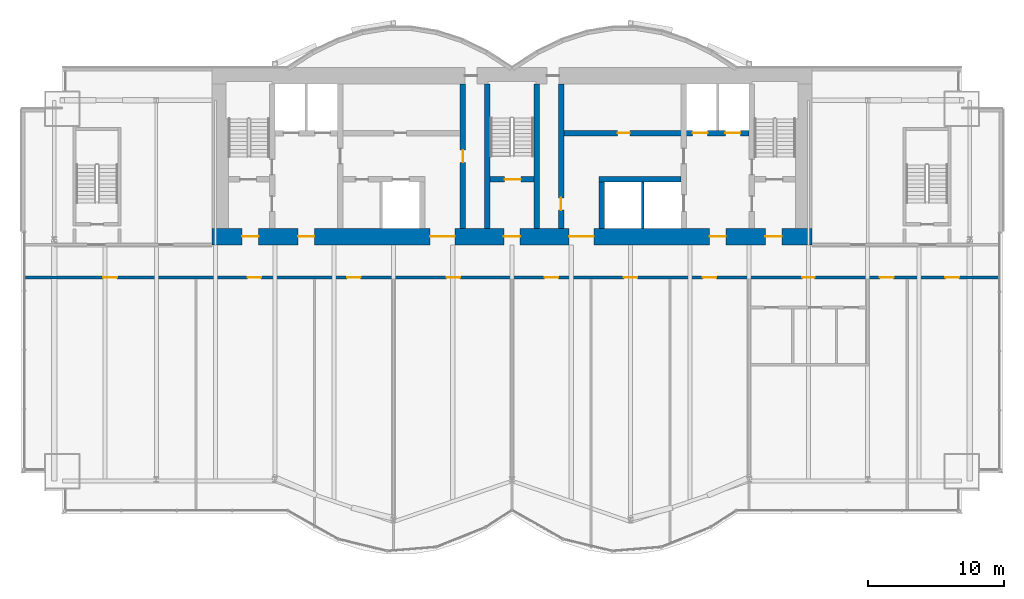
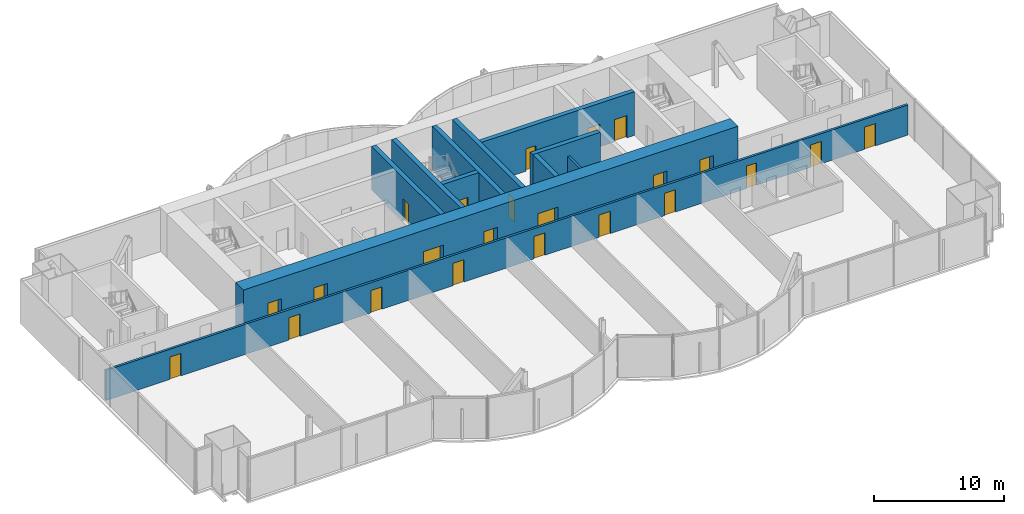
# One storey, part 15 of 20: 23 doors, 11 walls, 23 openings.
"""IFC4 building model written with IfcOpenShell, lengths in metres."""

from ifc_helpers import new_model, si_unit, direction, frame, frame_2d, origin, place, context, subcontext, project, spatial, rectangle, extrude, material, layer, layer_set, type_object, element, fill, save


model = new_model("IFC4")

# Units and contexts
model_context = context("Model", 3, precision=1e-05, world=origin(), true_north=direction((0.0, 1.0)))
body_context = subcontext(model_context, "Body", "Model", "MODEL_VIEW")
ifc_project = project(units=[si_unit("LENGTHUNIT", "METRE"), si_unit("AREAUNIT", "SQUARE_METRE"), si_unit("VOLUMEUNIT", "CUBIC_METRE"), si_unit("PLANEANGLEUNIT", "RADIAN"), si_unit("MASSUNIT", "GRAM", prefix="KILO")], contexts=[model_context])

# Site, building, storey
site_placement = place(None, origin())
site = spatial("IfcSite", under=ifc_project, at=site_placement, CompositionType="ELEMENT")
building_placement = place(site_placement, origin())
building = spatial("IfcBuilding", under=site, at=building_placement, Name="Bicima Exchange Tower", CompositionType="ELEMENT")
storey_placement = place(building_placement, frame((0.0, 0.0, 199.10009765625)))
storey = spatial("IfcBuildingStorey", under=building, at=storey_placement, Name="L44", CompositionType="ELEMENT", Elevation=199.10009765625)

# Wall
ifc_material_1 = material(Name="Gypsum board partition")
ifc_layer_1 = layer(ifc_material_1, 0.199951171875)
ifc_layer_set_1 = layer_set([ifc_layer_1], Name="Gypsum board partition")
wall_type_1 = type_object("IfcWallType", Name="Fire-rated gypsum partition 200 EI120", PredefinedType="PARTITIONING", material=ifc_layer_set_1)
wall_1_placement = place(storey_placement, frame((9.60009765625, -11.800048828125, 0.0), z_axis=(0.0, 0.0, 1.0), x_axis=(0.0, 1.0, 0.0)))
element("IfcWall", 1, at=wall_1_placement, inside=storey, type_object=wall_type_1, Name="partition wall 18", PredefinedType="PARTITIONING", context=body_context, shape_type="SweptSolid", body=[
    extrude(rectangle(XDim=3.400146484375, YDim=0.199951171875, at=frame_2d((1.7001953125, 0.0))), origin(), (0.0, 0.0, 1.0), 2.840087890625),
])

# Wall, openings, doors
ifc_layer_2 = layer(ifc_material_1, 0.199951171875)
ifc_layer_set_2 = layer_set([ifc_layer_2], Name="Gypsum board partition")
wall_type_2 = type_object("IfcWallType", Name="Fire-rated gypsum partition 200 EI60", PredefinedType="PARTITIONING", material=ifc_layer_set_2)
wall_2_placement = place(storey_placement, frame((-35.679931640625, -15.39990234375, 0.0), z_axis=(0.0, 0.0, 1.0), x_axis=(1.0, 0.0, 0.0)))
wall_2 = element("IfcWall", 2, at=wall_2_placement, inside=storey, type_object=wall_type_2, Name="partition wall 3", PredefinedType="PARTITIONING", context=body_context, shape_type="SweptSolid", body=[
    extrude(rectangle(XDim=71.35986328125, YDim=0.199951171875, at=frame_2d((35.679931640625, 0.0))), origin(), (0.0, 0.0, 1.0), 2.840087890625),
])
opening_1_placement = place(wall_2_placement, frame((5.699951171875, 0.0, 0.0)))
opening_1 = element("IfcOpeningElement", 3, at=opening_1_placement, cuts=wall_2, Name="Opening L44-007", PredefinedType="OPENING", context=body_context, shape_type="SweptSolid", body=[
    extrude(rectangle(XDim=1.0, YDim=2.10009765625, at=frame_2d((0.5, 1.050048828125))), frame((0.0, 0.11181640625, 0.0), z_axis=(0.0, -1.0, 0.0), x_axis=(1.0, 0.0, 0.0)), (0.0, 0.0, 1.0), 0.223876953125),
])
opening_2_placement = place(wall_2_placement, frame((16.280029296875, 0.0, 0.0)))
opening_2 = element("IfcOpeningElement", 4, at=opening_2_placement, cuts=wall_2, Name="Opening L44-008", PredefinedType="OPENING", context=body_context, shape_type="SweptSolid", body=[
    extrude(rectangle(XDim=1.0, YDim=2.10009765625, at=frame_2d((0.5, 1.050048828125))), frame((0.0, 0.11181640625, 0.0), z_axis=(0.0, -1.0, 0.0), x_axis=(1.0, 0.0, 0.0)), (0.0, 0.0, 1.0), 0.223876953125),
])
opening_3_placement = place(wall_2_placement, frame((23.580078125, 0.0, 0.0)))
opening_3 = element("IfcOpeningElement", 5, at=opening_3_placement, cuts=wall_2, Name="Opening L44-009", PredefinedType="OPENING", context=body_context, shape_type="SweptSolid", body=[
    extrude(rectangle(XDim=1.0, YDim=2.10009765625, at=frame_2d((0.5, 1.050048828125))), frame((0.0, 0.11181640625, 0.0), z_axis=(0.0, -1.0, 0.0), x_axis=(1.0, 0.0, 0.0)), (0.0, 0.0, 1.0), 0.223876953125),
])
opening_4_placement = place(wall_2_placement, frame((30.8798828125, 0.0, 0.0)))
opening_4 = element("IfcOpeningElement", 6, at=opening_4_placement, cuts=wall_2, Name="Opening L44-010", PredefinedType="OPENING", context=body_context, shape_type="SweptSolid", body=[
    extrude(rectangle(XDim=1.0, YDim=2.10009765625, at=frame_2d((0.5, 1.050048828125))), frame((0.0, 0.11181640625, 0.0), z_axis=(0.0, -1.0, 0.0), x_axis=(1.0, 0.0, 0.0)), (0.0, 0.0, 1.0), 0.223876953125),
])
opening_5_placement = place(wall_2_placement, frame((38.080078125, 0.0, 0.0)))
opening_5 = element("IfcOpeningElement", 7, at=opening_5_placement, cuts=wall_2, Name="Opening L44-011", PredefinedType="OPENING", context=body_context, shape_type="SweptSolid", body=[
    extrude(rectangle(XDim=1.0, YDim=2.10009765625, at=frame_2d((0.5, 1.050048828125))), frame((0.0, 0.11181640625, 0.0), z_axis=(0.0, -1.0, 0.0), x_axis=(1.0, 0.0, 0.0)), (0.0, 0.0, 1.0), 0.223876953125),
])
opening_6_placement = place(wall_2_placement, frame((43.8798828125, 0.0, 0.0)))
opening_6 = element("IfcOpeningElement", 8, at=opening_6_placement, cuts=wall_2, Name="Opening L44-012", PredefinedType="OPENING", context=body_context, shape_type="SweptSolid", body=[
    extrude(rectangle(XDim=1.0, YDim=2.10009765625, at=frame_2d((0.5, 1.050048828125))), frame((0.0, 0.11181640625, 0.0), z_axis=(0.0, -1.0, 0.0), x_axis=(1.0, 0.0, 0.0)), (0.0, 0.0, 1.0), 0.223876953125),
])
opening_7_placement = place(wall_2_placement, frame((49.679931640625, 0.0, 0.0)))
opening_7 = element("IfcOpeningElement", 9, at=opening_7_placement, cuts=wall_2, Name="Opening L44-013", PredefinedType="OPENING", context=body_context, shape_type="SweptSolid", body=[
    extrude(rectangle(XDim=1.0, YDim=2.10009765625, at=frame_2d((0.5, 1.050048828125))), frame((0.0, 0.11181640625, 0.0), z_axis=(0.0, -1.0, 0.0), x_axis=(1.0, 0.0, 0.0)), (0.0, 0.0, 1.0), 0.223876953125),
])
opening_8_placement = place(wall_2_placement, frame((56.97998046875, 0.0, 0.0)))
opening_8 = element("IfcOpeningElement", 10, at=opening_8_placement, cuts=wall_2, Name="Opening L44-014", PredefinedType="OPENING", context=body_context, shape_type="SweptSolid", body=[
    extrude(rectangle(XDim=0.89990234375, YDim=2.10009765625, at=frame_2d((0.449951171875, 1.050048828125))), frame((0.0, 0.11181640625, 0.0), z_axis=(0.0, -1.0, 0.0), x_axis=(1.0, 0.0, 0.0)), (0.0, 0.0, 1.0), 0.223876953125),
])
opening_9_placement = place(wall_2_placement, frame((62.679931640625, 0.0, 0.0)))
opening_9 = element("IfcOpeningElement", 11, at=opening_9_placement, cuts=wall_2, Name="Opening L44-018", PredefinedType="OPENING", context=body_context, shape_type="SweptSolid", body=[
    extrude(rectangle(XDim=1.0, YDim=2.10009765625, at=frame_2d((0.5, 1.050048828125))), frame((0.0, 0.11181640625, 0.0), z_axis=(0.0, -1.0, 0.0), x_axis=(1.0, 0.0, 0.0)), (0.0, 0.0, 1.0), 0.223876953125),
])
opening_10_placement = place(wall_2_placement, frame((67.47998046875, 0.0, 0.0)))
opening_10 = element("IfcOpeningElement", 12, at=opening_10_placement, cuts=wall_2, Name="Opening L44-019", PredefinedType="OPENING", context=body_context, shape_type="SweptSolid", body=[
    extrude(rectangle(XDim=1.0, YDim=2.10009765625, at=frame_2d((0.5, 1.050048828125))), frame((0.0, 0.11181640625, 0.0), z_axis=(0.0, -1.0, 0.0), x_axis=(1.0, 0.0, 0.0)), (0.0, 0.0, 1.0), 0.223876953125),
])
ifc_material_2 = material(Name="Steel fire door leaf", Category="steel")
door_type_1 = type_object("IfcDoorType", Name="Door 1000 swing FD30S", OperationType="SINGLE_SWING_LEFT", PredefinedType="DOOR", material=ifc_material_2)
door_1_placement = place(opening_1_placement, frame((1.0, 0.0, 0.0), z_axis=(0.0, 0.0, 1.0), x_axis=(-1.0, 0.0, 0.0)))
door_1 = element("IfcDoor", 13, at=door_1_placement, inside=storey, type_object=door_type_1, Name="Door", OperationType="SINGLE_SWING_LEFT", OverallHeight=2.10009765625, OverallWidth=1.0, PredefinedType="DOOR", context=body_context, shape_type="SweptSolid", body=[
    extrude(rectangle(XDim=1.0, YDim=2.10009765625, at=frame_2d((0.5, 1.050048828125))), frame((0.0, 0.02490234375, 0.0), z_axis=(0.0, -1.0, 0.0), x_axis=(1.0, 0.0, 0.0)), (0.0, 0.0, 1.0), 0.050048828125),
])
fill(opening_1, door_1)
door_2_placement = place(opening_2_placement, frame((1.0, 0.0, 0.0), z_axis=(0.0, 0.0, 1.0), x_axis=(-1.0, 0.0, 0.0)))
door_2 = element("IfcDoor", 14, at=door_2_placement, inside=storey, type_object=door_type_1, Name="Door", OperationType="SINGLE_SWING_RIGHT", OverallHeight=2.10009765625, OverallWidth=1.0, PredefinedType="DOOR", context=body_context, shape_type="SweptSolid", body=[
    extrude(rectangle(XDim=1.0, YDim=2.10009765625, at=frame_2d((0.5, 1.050048828125))), frame((0.0, 0.02490234375, 0.0), z_axis=(0.0, -1.0, 0.0), x_axis=(1.0, 0.0, 0.0)), (0.0, 0.0, 1.0), 0.050048828125),
])
fill(opening_2, door_2)
door_3_placement = place(opening_3_placement, frame((1.0, 0.0, 0.0), z_axis=(0.0, 0.0, 1.0), x_axis=(-1.0, 0.0, 0.0)))
door_3 = element("IfcDoor", 15, at=door_3_placement, inside=storey, type_object=door_type_1, Name="Door", OperationType="SINGLE_SWING_RIGHT", OverallHeight=2.10009765625, OverallWidth=1.0, PredefinedType="DOOR", context=body_context, shape_type="SweptSolid", body=[
    extrude(rectangle(XDim=1.0, YDim=2.10009765625, at=frame_2d((0.5, 1.050048828125))), frame((0.0, 0.02490234375, 0.0), z_axis=(0.0, -1.0, 0.0), x_axis=(1.0, 0.0, 0.0)), (0.0, 0.0, 1.0), 0.050048828125),
])
fill(opening_3, door_3)
door_4_placement = place(opening_4_placement, frame((1.0, 0.0, 0.0), z_axis=(0.0, 0.0, 1.0), x_axis=(-1.0, 0.0, 0.0)))
door_4 = element("IfcDoor", 16, at=door_4_placement, inside=storey, type_object=door_type_1, Name="Door", OperationType="SINGLE_SWING_LEFT", OverallHeight=2.10009765625, OverallWidth=1.0, PredefinedType="DOOR", context=body_context, shape_type="SweptSolid", body=[
    extrude(rectangle(XDim=1.0, YDim=2.10009765625, at=frame_2d((0.5, 1.050048828125))), frame((0.0, 0.02490234375, 0.0), z_axis=(0.0, -1.0, 0.0), x_axis=(1.0, 0.0, 0.0)), (0.0, 0.0, 1.0), 0.050048828125),
])
fill(opening_4, door_4)
door_5_placement = place(opening_5_placement, frame((1.0, 0.0, 0.0), z_axis=(0.0, 0.0, 1.0), x_axis=(-1.0, 0.0, 0.0)))
door_5 = element("IfcDoor", 17, at=door_5_placement, inside=storey, type_object=door_type_1, Name="Door", OperationType="SINGLE_SWING_RIGHT", OverallHeight=2.10009765625, OverallWidth=1.0, PredefinedType="DOOR", context=body_context, shape_type="SweptSolid", body=[
    extrude(rectangle(XDim=1.0, YDim=2.10009765625, at=frame_2d((0.5, 1.050048828125))), frame((0.0, 0.02490234375, 0.0), z_axis=(0.0, -1.0, 0.0), x_axis=(1.0, 0.0, 0.0)), (0.0, 0.0, 1.0), 0.050048828125),
])
fill(opening_5, door_5)
door_6_placement = place(opening_6_placement, frame((1.0, 0.0, 0.0), z_axis=(0.0, 0.0, 1.0), x_axis=(-1.0, 0.0, 0.0)))
door_6 = element("IfcDoor", 18, at=door_6_placement, inside=storey, type_object=door_type_1, Name="Door", OperationType="SINGLE_SWING_RIGHT", OverallHeight=2.10009765625, OverallWidth=1.0, PredefinedType="DOOR", context=body_context, shape_type="SweptSolid", body=[
    extrude(rectangle(XDim=1.0, YDim=2.10009765625, at=frame_2d((0.5, 1.050048828125))), frame((0.0, 0.02490234375, 0.0), z_axis=(0.0, -1.0, 0.0), x_axis=(1.0, 0.0, 0.0)), (0.0, 0.0, 1.0), 0.050048828125),
])
fill(opening_6, door_6)
door_7_placement = place(opening_7_placement, frame((1.0, 0.0, 0.0), z_axis=(0.0, 0.0, 1.0), x_axis=(-1.0, 0.0, 0.0)))
door_7 = element("IfcDoor", 19, at=door_7_placement, inside=storey, type_object=door_type_1, Name="Door", OperationType="SINGLE_SWING_LEFT", OverallHeight=2.10009765625, OverallWidth=1.0, PredefinedType="DOOR", context=body_context, shape_type="SweptSolid", body=[
    extrude(rectangle(XDim=1.0, YDim=2.10009765625, at=frame_2d((0.5, 1.050048828125))), frame((0.0, 0.02490234375, 0.0), z_axis=(0.0, -1.0, 0.0), x_axis=(1.0, 0.0, 0.0)), (0.0, 0.0, 1.0), 0.050048828125),
])
fill(opening_7, door_7)
door_8_placement = place(opening_9_placement, frame((1.0, 0.0, 0.0), z_axis=(0.0, 0.0, 1.0), x_axis=(-1.0, 0.0, 0.0)))
door_8 = element("IfcDoor", 20, at=door_8_placement, inside=storey, type_object=door_type_1, Name="Door", OperationType="SINGLE_SWING_RIGHT", OverallHeight=2.10009765625, OverallWidth=1.0, PredefinedType="DOOR", context=body_context, shape_type="SweptSolid", body=[
    extrude(rectangle(XDim=1.0, YDim=2.10009765625, at=frame_2d((0.5, 1.050048828125))), frame((0.0, 0.02490234375, 0.0), z_axis=(0.0, -1.0, 0.0), x_axis=(1.0, 0.0, 0.0)), (0.0, 0.0, 1.0), 0.050048828125),
])
fill(opening_9, door_8)
door_9_placement = place(opening_10_placement, frame((1.0, 0.0, 0.0), z_axis=(0.0, 0.0, 1.0), x_axis=(-1.0, 0.0, 0.0)))
door_9 = element("IfcDoor", 21, at=door_9_placement, inside=storey, type_object=door_type_1, Name="Door", OperationType="SINGLE_SWING_LEFT", OverallHeight=2.10009765625, OverallWidth=1.0, PredefinedType="DOOR", context=body_context, shape_type="SweptSolid", body=[
    extrude(rectangle(XDim=1.0, YDim=2.10009765625, at=frame_2d((0.5, 1.050048828125))), frame((0.0, 0.02490234375, 0.0), z_axis=(0.0, -1.0, 0.0), x_axis=(1.0, 0.0, 0.0)), (0.0, 0.0, 1.0), 0.050048828125),
])
fill(opening_10, door_9)
door_type_2 = type_object("IfcDoorType", Name="Door 900 swing FD30S", OperationType="SINGLE_SWING_LEFT", PredefinedType="DOOR", material=ifc_material_2)
door_10_placement = place(opening_8_placement, frame((0.89990234375, 0.0, 0.0), z_axis=(0.0, 0.0, 1.0), x_axis=(-1.0, 0.0, 0.0)))
door_10 = element("IfcDoor", 22, at=door_10_placement, inside=storey, type_object=door_type_2, Name="Door", OperationType="SINGLE_SWING_RIGHT", OverallHeight=2.10009765625, OverallWidth=0.89990234375, PredefinedType="DOOR", context=body_context, shape_type="SweptSolid", body=[
    extrude(rectangle(XDim=0.89990234375, YDim=2.10009765625, at=frame_2d((0.449951171875, 1.050048828125))), frame((0.0, 0.02490234375, 0.0), z_axis=(0.0, -1.0, 0.0), x_axis=(1.0, 0.0, 0.0)), (0.0, 0.0, 1.0), 0.050048828125),
])
fill(opening_8, door_10)

ifc_material_3 = material(Name="Concrete C50/60", Category="concrete")
ifc_layer_3 = layer(ifc_material_3, 1.199951171875)
ifc_layer_set_3 = layer_set([ifc_layer_3], Name="Concrete C50/60")
wall_type_3 = type_object("IfcWallType", Name="RC core wall 1200 C50/60", PredefinedType="SHEAR", material=ifc_layer_set_3)
wall_3_placement = place(storey_placement, frame((-22.0, -12.39990234375, 0.0), z_axis=(0.0, 0.0, 1.0), x_axis=(1.0, 0.0, 0.0)))
wall_3 = element("IfcWall", 23, at=wall_3_placement, inside=storey, type_object=wall_type_3, Name="Core wall south", PredefinedType="SHEAR", context=body_context, shape_type="SweptSolid", body=[
    extrude(rectangle(XDim=44.0, YDim=1.199951171875, at=frame_2d((22.0, 0.0))), origin(), (0.0, 0.0, 1.0), 4.099853515625),
])
opening_11_placement = place(wall_3_placement, frame((2.199951171875, 0.0, 0.0)))
opening_11 = element("IfcOpeningElement", 24, at=opening_11_placement, cuts=wall_3, Name="Opening L44-C17", PredefinedType="OPENING", context=body_context, shape_type="SweptSolid", body=[
    extrude(rectangle(XDim=1.199951171875, YDim=2.10009765625, at=frame_2d((0.60009765625, 1.050048828125))), frame((0.0, 0.61181640625, 0.0), z_axis=(0.0, -1.0, 0.0), x_axis=(1.0, 0.0, 0.0)), (0.0, 0.0, 1.0), 1.223876953125),
])
opening_12_placement = place(wall_3_placement, frame((21.39990234375, 0.0, 0.0)))
opening_12 = element("IfcOpeningElement", 25, at=opening_12_placement, cuts=wall_3, Name="Opening L44-C18", PredefinedType="OPENING", context=body_context, shape_type="SweptSolid", body=[
    extrude(rectangle(XDim=1.199951171875, YDim=2.10009765625, at=frame_2d((0.60009765625, 1.050048828125))), frame((0.0, 0.61181640625, 0.0), z_axis=(0.0, -1.0, 0.0), x_axis=(1.0, 0.0, 0.0)), (0.0, 0.0, 1.0), 1.223876953125),
])
opening_13_placement = place(wall_3_placement, frame((40.60009765625, 0.0, 0.0)))
opening_13 = element("IfcOpeningElement", 26, at=opening_13_placement, cuts=wall_3, Name="Opening L44-C19", PredefinedType="OPENING", context=body_context, shape_type="SweptSolid", body=[
    extrude(rectangle(XDim=1.199951171875, YDim=2.10009765625, at=frame_2d((0.60009765625, 1.050048828125))), frame((0.0, 0.61181640625, 0.0), z_axis=(0.0, -1.0, 0.0), x_axis=(1.0, 0.0, 0.0)), (0.0, 0.0, 1.0), 1.223876953125),
])
opening_14_placement = place(wall_3_placement, frame((16.0, 0.0, 0.0)))
opening_14 = element("IfcOpeningElement", 27, at=opening_14_placement, cuts=wall_3, Name="Opening L44-C20", PredefinedType="OPENING", context=body_context, shape_type="SweptSolid", body=[
    extrude(rectangle(XDim=1.800048828125, YDim=2.10009765625, at=frame_2d((0.89990234375, 1.050048828125))), frame((0.0, 0.61181640625, 0.0), z_axis=(0.0, -1.0, 0.0), x_axis=(1.0, 0.0, 0.0)), (0.0, 0.0, 1.0), 1.223876953125),
])
opening_15_placement = place(wall_3_placement, frame((6.300048828125, 0.0, 0.0)))
opening_15 = element("IfcOpeningElement", 28, at=opening_15_placement, cuts=wall_3, Name="Opening L44-C21", PredefinedType="OPENING", context=body_context, shape_type="SweptSolid", body=[
    extrude(rectangle(XDim=1.199951171875, YDim=2.10009765625, at=frame_2d((0.60009765625, 1.050048828125))), frame((0.0, 0.61181640625, 0.0), z_axis=(0.0, -1.0, 0.0), x_axis=(1.0, 0.0, 0.0)), (0.0, 0.0, 1.0), 1.223876953125),
])
opening_16_placement = place(wall_3_placement, frame((26.199951171875, 0.0, 0.0)))
opening_16 = element("IfcOpeningElement", 29, at=opening_16_placement, cuts=wall_3, Name="Opening L44-C22", PredefinedType="OPENING", context=body_context, shape_type="SweptSolid", body=[
    extrude(rectangle(XDim=1.800048828125, YDim=2.10009765625, at=frame_2d((0.89990234375, 1.050048828125))), frame((0.0, 0.61181640625, 0.0), z_axis=(0.0, -1.0, 0.0), x_axis=(1.0, 0.0, 0.0)), (0.0, 0.0, 1.0), 1.223876953125),
])
opening_17_placement = place(wall_3_placement, frame((36.5, 0.0, 0.0)))
opening_17 = element("IfcOpeningElement", 30, at=opening_17_placement, cuts=wall_3, Name="Opening L44-C23", PredefinedType="OPENING", context=body_context, shape_type="SweptSolid", body=[
    extrude(rectangle(XDim=1.199951171875, YDim=2.10009765625, at=frame_2d((0.60009765625, 1.050048828125))), frame((0.0, 0.61181640625, 0.0), z_axis=(0.0, -1.0, 0.0), x_axis=(1.0, 0.0, 0.0)), (0.0, 0.0, 1.0), 1.223876953125),
])
door_type_3 = type_object("IfcDoorType", Name="Door 1200 swing FD60S", OperationType="SINGLE_SWING_LEFT", PredefinedType="DOOR", material=ifc_material_2)
door_11_placement = place(opening_11_placement, frame((1.199951171875, 0.0, 0.0), z_axis=(0.0, 0.0, 1.0), x_axis=(-1.0, 0.0, 0.0)))
door_11 = element("IfcDoor", 31, at=door_11_placement, inside=storey, type_object=door_type_3, Name="Core door", OperationType="SINGLE_SWING_RIGHT", OverallHeight=2.10009765625, OverallWidth=1.199951171875, PredefinedType="DOOR", context=body_context, shape_type="SweptSolid", body=[
    extrude(rectangle(XDim=1.199951171875, YDim=2.10009765625, at=frame_2d((0.60009765625, 1.050048828125))), frame((0.0, 0.02490234375, 0.0), z_axis=(0.0, -1.0, 0.0), x_axis=(1.0, 0.0, 0.0)), (0.0, 0.0, 1.0), 0.050048828125),
])
fill(opening_11, door_11)
door_12_placement = place(opening_12_placement, frame((1.199951171875, 0.0, 0.0), z_axis=(0.0, 0.0, 1.0), x_axis=(-1.0, 0.0, 0.0)))
door_12 = element("IfcDoor", 32, at=door_12_placement, inside=storey, type_object=door_type_3, Name="Core door", OperationType="SINGLE_SWING_RIGHT", OverallHeight=2.10009765625, OverallWidth=1.199951171875, PredefinedType="DOOR", context=body_context, shape_type="SweptSolid", body=[
    extrude(rectangle(XDim=1.199951171875, YDim=2.10009765625, at=frame_2d((0.60009765625, 1.050048828125))), frame((0.0, 0.02490234375, 0.0), z_axis=(0.0, -1.0, 0.0), x_axis=(1.0, 0.0, 0.0)), (0.0, 0.0, 1.0), 0.050048828125),
])
fill(opening_12, door_12)
door_13_placement = place(opening_13_placement, frame((1.199951171875, 0.0, 0.0), z_axis=(0.0, 0.0, 1.0), x_axis=(-1.0, 0.0, 0.0)))
door_13 = element("IfcDoor", 33, at=door_13_placement, inside=storey, type_object=door_type_3, Name="Core door", OperationType="SINGLE_SWING_RIGHT", OverallHeight=2.10009765625, OverallWidth=1.199951171875, PredefinedType="DOOR", context=body_context, shape_type="SweptSolid", body=[
    extrude(rectangle(XDim=1.199951171875, YDim=2.10009765625, at=frame_2d((0.60009765625, 1.050048828125))), frame((0.0, 0.02490234375, 0.0), z_axis=(0.0, -1.0, 0.0), x_axis=(1.0, 0.0, 0.0)), (0.0, 0.0, 1.0), 0.050048828125),
])
fill(opening_13, door_13)
door_14_placement = place(opening_15_placement, frame((1.199951171875, 0.0, 0.0), z_axis=(0.0, 0.0, 1.0), x_axis=(-1.0, 0.0, 0.0)))
door_14 = element("IfcDoor", 34, at=door_14_placement, inside=storey, type_object=door_type_3, Name="Core door", OperationType="SINGLE_SWING_RIGHT", OverallHeight=2.10009765625, OverallWidth=1.199951171875, PredefinedType="DOOR", context=body_context, shape_type="SweptSolid", body=[
    extrude(rectangle(XDim=1.199951171875, YDim=2.10009765625, at=frame_2d((0.60009765625, 1.050048828125))), frame((0.0, 0.02490234375, 0.0), z_axis=(0.0, -1.0, 0.0), x_axis=(1.0, 0.0, 0.0)), (0.0, 0.0, 1.0), 0.050048828125),
])
fill(opening_15, door_14)
door_15_placement = place(opening_17_placement, frame((1.199951171875, 0.0, 0.0), z_axis=(0.0, 0.0, 1.0), x_axis=(-1.0, 0.0, 0.0)))
door_15 = element("IfcDoor", 35, at=door_15_placement, inside=storey, type_object=door_type_3, Name="Core door", OperationType="SINGLE_SWING_RIGHT", OverallHeight=2.10009765625, OverallWidth=1.199951171875, PredefinedType="DOOR", context=body_context, shape_type="SweptSolid", body=[
    extrude(rectangle(XDim=1.199951171875, YDim=2.10009765625, at=frame_2d((0.60009765625, 1.050048828125))), frame((0.0, 0.02490234375, 0.0), z_axis=(0.0, -1.0, 0.0), x_axis=(1.0, 0.0, 0.0)), (0.0, 0.0, 1.0), 0.050048828125),
])
fill(opening_17, door_15)
door_type_4 = type_object("IfcDoorType", Name="Door 1800 double swing FD30S", OperationType="DOUBLE_DOOR_SINGLE_SWING", PredefinedType="DOOR", material=ifc_material_2)
door_16_placement = place(opening_14_placement, origin())
door_16 = element("IfcDoor", 36, at=door_16_placement, inside=storey, type_object=door_type_4, Name="Core door", OperationType="SINGLE_SWING_LEFT", OverallHeight=2.10009765625, OverallWidth=1.800048828125, PredefinedType="DOOR", context=body_context, shape_type="SweptSolid", body=[
    extrude(rectangle(XDim=1.800048828125, YDim=2.10009765625, at=frame_2d((0.89990234375, 1.050048828125))), frame((0.0, 0.02490234375, 0.0), z_axis=(0.0, -1.0, 0.0), x_axis=(1.0, 0.0, 0.0)), (0.0, 0.0, 1.0), 0.050048828125),
])
fill(opening_14, door_16)
door_17_placement = place(opening_16_placement, origin())
door_17 = element("IfcDoor", 37, at=door_17_placement, inside=storey, type_object=door_type_4, Name="Core door", OperationType="SINGLE_SWING_LEFT", OverallHeight=2.10009765625, OverallWidth=1.800048828125, PredefinedType="DOOR", context=body_context, shape_type="SweptSolid", body=[
    extrude(rectangle(XDim=1.800048828125, YDim=2.10009765625, at=frame_2d((0.89990234375, 1.050048828125))), frame((0.0, 0.02490234375, 0.0), z_axis=(0.0, -1.0, 0.0), x_axis=(1.0, 0.0, 0.0)), (0.0, 0.0, 1.0), 0.050048828125),
])
fill(opening_16, door_17)

# Wall, opening, door
ifc_layer_4 = layer(ifc_material_3, 0.39990234375)
ifc_layer_set_4 = layer_set([ifc_layer_4], Name="Concrete C50/60")
wall_type_4 = type_object("IfcWallType", Name="RC core wall 400 C50/60", PredefinedType="SHEAR", material=ifc_layer_set_4)
wall_4_placement = place(storey_placement, frame((-1.60009765625, -8.199951171875, 0.0), z_axis=(0.0, 0.0, 1.0), x_axis=(1.0, 0.0, 0.0)))
wall_4 = element("IfcWall", 38, at=wall_4_placement, inside=storey, type_object=wall_type_4, Name="stair wall 3", PredefinedType="SHEAR", context=body_context, shape_type="SweptSolid", body=[
    extrude(rectangle(XDim=3.2001953125, YDim=0.39990234375, at=frame_2d((1.60009765625, 0.0))), origin(), (0.0, 0.0, 1.0), 4.099853515625),
])
opening_18_placement = place(wall_4_placement, frame((1.050048828125, 0.0, 0.0)))
opening_18 = element("IfcOpeningElement", 39, at=opening_18_placement, cuts=wall_4, Name="Opening L44-C03", PredefinedType="OPENING", context=body_context, shape_type="SweptSolid", body=[
    extrude(rectangle(XDim=1.199951171875, YDim=2.10009765625, at=frame_2d((0.60009765625, 1.050048828125))), frame((0.0, 0.2119140625, 0.0), z_axis=(0.0, -1.0, 0.0), x_axis=(1.0, 0.0, 0.0)), (0.0, 0.0, 1.0), 0.423828125),
])
door_18_placement = place(opening_18_placement, origin())
door_18 = element("IfcDoor", 40, at=door_18_placement, inside=storey, type_object=door_type_3, Name="Core door", OperationType="SINGLE_SWING_LEFT", OverallHeight=2.10009765625, OverallWidth=1.199951171875, PredefinedType="DOOR", context=body_context, shape_type="SweptSolid", body=[
    extrude(rectangle(XDim=1.199951171875, YDim=2.10009765625, at=frame_2d((0.60009765625, 1.050048828125))), frame((0.0, 0.02490234375, 0.0), z_axis=(0.0, -1.0, 0.0), x_axis=(1.0, 0.0, 0.0)), (0.0, 0.0, 1.0), 0.050048828125),
])
fill(opening_18, door_18)

# Wall
wall_5_placement = place(storey_placement, frame((6.39990234375, -8.199951171875, 0.0), z_axis=(0.0, 0.0, 1.0), x_axis=(1.0, 0.0, 0.0)))
element("IfcWall", 41, at=wall_5_placement, inside=storey, type_object=wall_type_4, Name="shear wall 4", PredefinedType="SHEAR", context=body_context, shape_type="SweptSolid", body=[
    extrude(rectangle(XDim=6.0, YDim=0.39990234375, at=frame_2d((3.0, 0.0))), origin(), (0.0, 0.0, 1.0), 4.099853515625),
])

# Wall, openings, doors
wall_6_placement = place(storey_placement, frame((3.800048828125, -4.800048828125, 0.0), z_axis=(0.0, 0.0, 1.0), x_axis=(1.0, 0.0, 0.0)))
wall_6 = element("IfcWall", 42, at=wall_6_placement, inside=storey, type_object=wall_type_4, Name="shear wall 7", PredefinedType="SHEAR", context=body_context, shape_type="SweptSolid", body=[
    extrude(rectangle(XDim=13.599853515625, YDim=0.39990234375, at=frame_2d((6.7998046875, 0.0))), origin(), (0.0, 0.0, 1.0), 4.099853515625),
])
opening_19_placement = place(wall_6_placement, frame((9.449951171875, 0.0, 0.0)))
opening_19 = element("IfcOpeningElement", 43, at=opening_19_placement, cuts=wall_6, Name="Opening LD-FF2-L44", PredefinedType="OPENING", context=body_context, shape_type="SweptSolid", body=[
    extrude(rectangle(XDim=1.10009765625, YDim=2.10009765625, at=frame_2d((0.550048828125, 1.050048828125))), frame((0.0, 0.2119140625, 0.0), z_axis=(0.0, -1.0, 0.0), x_axis=(1.0, 0.0, 0.0)), (0.0, 0.0, 1.0), 0.423828125),
])
opening_20_placement = place(wall_6_placement, frame((11.85009765625, 0.0, 0.0)))
opening_20 = element("IfcOpeningElement", 44, at=opening_20_placement, cuts=wall_6, Name="Opening LD-SV1-L44", PredefinedType="OPENING", context=body_context, shape_type="SweptSolid", body=[
    extrude(rectangle(XDim=1.10009765625, YDim=2.10009765625, at=frame_2d((0.550048828125, 1.050048828125))), frame((0.0, 0.2119140625, 0.0), z_axis=(0.0, -1.0, 0.0), x_axis=(1.0, 0.0, 0.0)), (0.0, 0.0, 1.0), 0.423828125),
])
opening_21_placement = place(wall_6_placement, frame((3.949951171875, 0.0, 0.0)))
opening_21 = element("IfcOpeningElement", 45, at=opening_21_placement, cuts=wall_6, Name="Opening L44-C13", PredefinedType="OPENING", context=body_context, shape_type="SweptSolid", body=[
    extrude(rectangle(XDim=0.89990234375, YDim=2.10009765625, at=frame_2d((0.449951171875, 1.050048828125))), frame((0.0, 0.2119140625, 0.0), z_axis=(0.0, -1.0, 0.0), x_axis=(1.0, 0.0, 0.0)), (0.0, 0.0, 1.0), 0.423828125),
])
door_19_placement = place(opening_21_placement, origin())
door_19 = element("IfcDoor", 46, at=door_19_placement, inside=storey, type_object=door_type_2, Name="Core door", OperationType="SINGLE_SWING_LEFT", OverallHeight=2.10009765625, OverallWidth=0.89990234375, PredefinedType="DOOR", context=body_context, shape_type="SweptSolid", body=[
    extrude(rectangle(XDim=0.89990234375, YDim=2.10009765625, at=frame_2d((0.449951171875, 1.050048828125))), frame((0.0, 0.02490234375, 0.0), z_axis=(0.0, -1.0, 0.0), x_axis=(1.0, 0.0, 0.0)), (0.0, 0.0, 1.0), 0.050048828125),
])
fill(opening_21, door_19)
ifc_material_4 = material(Name="Stainless steel", Category="steel")
door_type_5 = type_object("IfcDoorType", Name="Lift landing door 1100 sliding", OperationType="DOUBLE_DOOR_SLIDING", PredefinedType="DOOR", material=ifc_material_4)
door_20_placement = place(opening_19_placement, origin())
door_20 = element("IfcDoor", 47, at=door_20_placement, inside=storey, type_object=door_type_5, Name="Lift landing door FF2", OperationType="DOUBLE_DOOR_SLIDING", OverallHeight=2.10009765625, OverallWidth=1.10009765625, PredefinedType="DOOR", context=body_context, shape_type="SweptSolid", body=[
    extrude(rectangle(XDim=1.10009765625, YDim=2.10009765625, at=frame_2d((0.550048828125, 1.050048828125))), frame((0.0, 0.02490234375, 0.0), z_axis=(0.0, -1.0, 0.0), x_axis=(1.0, 0.0, 0.0)), (0.0, 0.0, 1.0), 0.050048828125),
])
fill(opening_19, door_20)
door_21_placement = place(opening_20_placement, origin())
door_21 = element("IfcDoor", 48, at=door_21_placement, inside=storey, type_object=door_type_5, Name="Lift landing door SV1", OperationType="DOUBLE_DOOR_SLIDING", OverallHeight=2.10009765625, OverallWidth=1.10009765625, PredefinedType="DOOR", context=body_context, shape_type="SweptSolid", body=[
    extrude(rectangle(XDim=1.10009765625, YDim=2.10009765625, at=frame_2d((0.550048828125, 1.050048828125))), frame((0.0, 0.02490234375, 0.0), z_axis=(0.0, -1.0, 0.0), x_axis=(1.0, 0.0, 0.0)), (0.0, 0.0, 1.0), 0.050048828125),
])
fill(opening_20, door_21)

# Wall, opening, door
wall_7_placement = place(storey_placement, frame((-3.60009765625, -11.800048828125, 0.0), z_axis=(0.0, 0.0, 1.0), x_axis=(0.0, 1.0, 0.0)))
wall_7 = element("IfcWall", 49, at=wall_7_placement, inside=storey, type_object=wall_type_4, Name="shear wall 13", PredefinedType="SHEAR", context=body_context, shape_type="SweptSolid", body=[
    extrude(rectangle(XDim=10.60009765625, YDim=0.39990234375, at=frame_2d((5.300048828125, 0.0))), origin(), (0.0, 0.0, 1.0), 4.099853515625),
])
opening_22_placement = place(wall_7_placement, frame((4.85009765625, 0.0, 0.0)))
opening_22 = element("IfcOpeningElement", 50, at=opening_22_placement, cuts=wall_7, Name="Opening L44-C10", PredefinedType="OPENING", context=body_context, shape_type="SweptSolid", body=[
    extrude(rectangle(XDim=0.89990234375, YDim=2.10009765625, at=frame_2d((0.449951171875, 1.050048828125))), frame((0.0, 0.2119140625, 0.0), z_axis=(0.0, -1.0, 0.0), x_axis=(1.0, 0.0, 0.0)), (0.0, 0.0, 1.0), 0.423828125),
])
door_22_placement = place(opening_22_placement, frame((0.89990234375, 0.0, 0.0), z_axis=(0.0, 0.0, 1.0), x_axis=(-1.0, 0.0, 0.0)))
door_22 = element("IfcDoor", 51, at=door_22_placement, inside=storey, type_object=door_type_2, Name="Core door", OperationType="SINGLE_SWING_LEFT", OverallHeight=2.10009765625, OverallWidth=0.89990234375, PredefinedType="DOOR", context=body_context, shape_type="SweptSolid", body=[
    extrude(rectangle(XDim=0.89990234375, YDim=2.10009765625, at=frame_2d((0.449951171875, 1.050048828125))), frame((0.0, 0.02490234375, 0.0), z_axis=(0.0, -1.0, 0.0), x_axis=(1.0, 0.0, 0.0)), (0.0, 0.0, 1.0), 0.050048828125),
])
fill(opening_22, door_22)

# Walls
for number, where, z_axis, x_axis, name in (
    (52, (-1.800048828125, -11.800048828125, 0.0), (0.0, 0.0, 1.0), (0.0, 1.0, 0.0), "stair wall 14"),
    (53, (1.800048828125, -11.800048828125, 0.0), (0.0, 0.0, 1.0), (0.0, 1.0, 0.0), "stair wall 15"),
):
    element("IfcWall", number, at=place(storey_placement, frame(where, z_axis=z_axis, x_axis=x_axis)), inside=storey, type_object=wall_type_4, Name=name, PredefinedType="SHEAR", context=body_context, shape_type="SweptSolid", body=[
        extrude(rectangle(XDim=10.60009765625, YDim=0.39990234375, at=frame_2d((5.300048828125, 0.0))), origin(), (0.0, 0.0, 1.0), 4.099853515625),
    ])

# Wall, opening, door
wall_8_placement = place(storey_placement, frame((3.60009765625, -11.800048828125, 0.0), z_axis=(0.0, 0.0, 1.0), x_axis=(0.0, 1.0, 0.0)))
wall_8 = element("IfcWall", 54, at=wall_8_placement, inside=storey, type_object=wall_type_4, Name="shear wall 16", PredefinedType="SHEAR", context=body_context, shape_type="SweptSolid", body=[
    extrude(rectangle(XDim=10.60009765625, YDim=0.39990234375, at=frame_2d((5.300048828125, 0.0))), origin(), (0.0, 0.0, 1.0), 4.099853515625),
])
opening_23_placement = place(wall_8_placement, frame((1.35009765625, 0.0, 0.0)))
opening_23 = element("IfcOpeningElement", 55, at=opening_23_placement, cuts=wall_8, Name="Opening L44-C11", PredefinedType="OPENING", context=body_context, shape_type="SweptSolid", body=[
    extrude(rectangle(XDim=0.89990234375, YDim=2.10009765625, at=frame_2d((0.449951171875, 1.050048828125))), frame((0.0, 0.2119140625, 0.0), z_axis=(0.0, -1.0, 0.0), x_axis=(1.0, 0.0, 0.0)), (0.0, 0.0, 1.0), 0.423828125),
])
door_23_placement = place(opening_23_placement, origin())
door_23 = element("IfcDoor", 56, at=door_23_placement, inside=storey, type_object=door_type_2, Name="Core door", OperationType="SINGLE_SWING_LEFT", OverallHeight=2.10009765625, OverallWidth=0.89990234375, PredefinedType="DOOR", context=body_context, shape_type="SweptSolid", body=[
    extrude(rectangle(XDim=0.89990234375, YDim=2.10009765625, at=frame_2d((0.449951171875, 1.050048828125))), frame((0.0, 0.02490234375, 0.0), z_axis=(0.0, -1.0, 0.0), x_axis=(1.0, 0.0, 0.0)), (0.0, 0.0, 1.0), 0.050048828125),
])
fill(opening_23, door_23)

# Wall
wall_9_placement = place(storey_placement, frame((6.60009765625, -11.800048828125, 0.0), z_axis=(0.0, 0.0, 1.0), x_axis=(0.0, 1.0, 0.0)))
element("IfcWall", 57, at=wall_9_placement, inside=storey, type_object=wall_type_4, Name="shear wall 17", PredefinedType="SHEAR", context=body_context, shape_type="SweptSolid", body=[
    extrude(rectangle(XDim=3.400146484375, YDim=0.39990234375, at=frame_2d((1.7001953125, 0.0))), origin(), (0.0, 0.0, 1.0), 4.099853515625),
])

save(model, "model.ifc")
